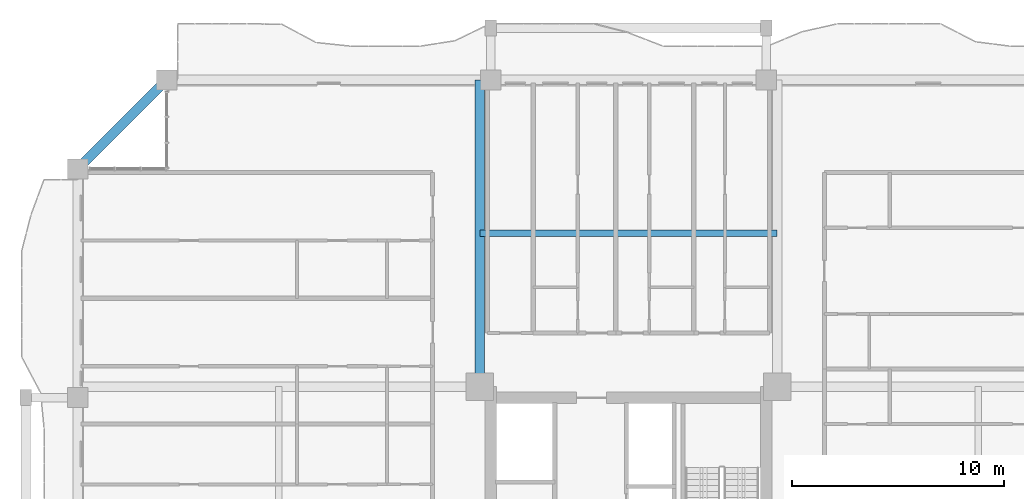
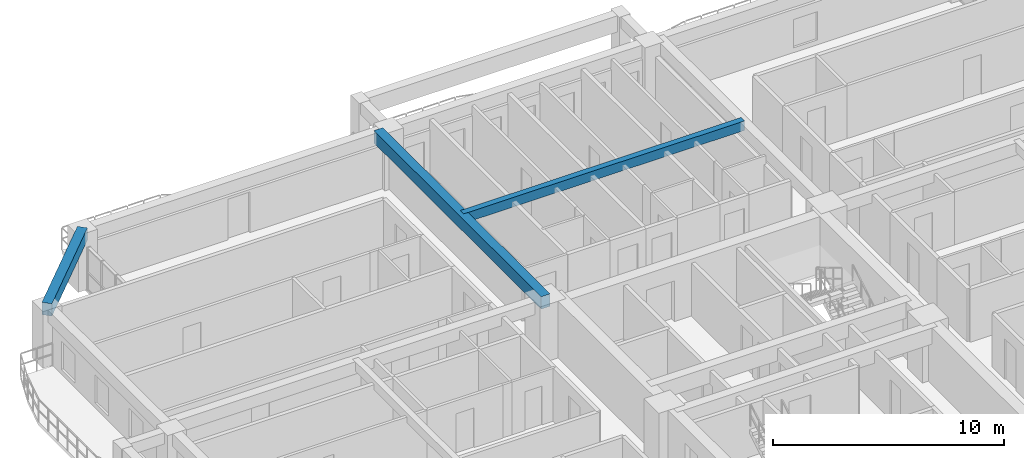
# One storey, part 7 of 26: 3 beams.
"""IFC4 building model written with IfcOpenShell, lengths in metres."""

from ifc_helpers import new_model, si_unit, direction, frame, origin, origin_2d, place, context, subcontext, project, spatial, rectangle, extrude, source, transform, mapped, material, material_profile, profile_set, type_object, element, save


model = new_model("IFC4")

# Units and contexts
model_context = context("Model", 3, precision=1e-05, world=origin(), true_north=direction((0.0, 1.0)))
body_context = subcontext(model_context, "Body", "Model", "MODEL_VIEW")
ifc_project = project(units=[si_unit("LENGTHUNIT", "METRE"), si_unit("AREAUNIT", "SQUARE_METRE"), si_unit("VOLUMEUNIT", "CUBIC_METRE"), si_unit("PLANEANGLEUNIT", "RADIAN"), si_unit("MASSUNIT", "GRAM", prefix="KILO")], contexts=[model_context])

# Site, building, storey
site_placement = place(None, origin())
site = spatial("IfcSite", under=ifc_project, at=site_placement, CompositionType="ELEMENT")
building_placement = place(site_placement, origin())
building = spatial("IfcBuilding", under=site, at=building_placement, Name="Saelheon Loggia Tower", CompositionType="ELEMENT")
storey_placement = place(building_placement, frame((0.0, 0.0, 116.85009765625)))
storey = spatial("IfcBuildingStorey", under=building, at=storey_placement, Name="L37", CompositionType="ELEMENT", Elevation=116.85009765625)

# Beams
ifc_material = material(Name="Concrete C40/50", Category="concrete")
ifc_material_profile_1 = material_profile(ifc_material, rectangle(XDim=0.449951171875, YDim=0.64990234375, at=origin_2d()), Name="RC-450x650")
ifc_profile_set_1 = profile_set([ifc_material_profile_1], Name="Concrete C40/50")
beam_type_1 = type_object("IfcBeamType", Name="Beam_PerimTower_RC450x650", PredefinedType="BEAM", material=ifc_profile_set_1)
shared_shape_1 = source(origin(), body_context, "Body", "SweptSolid", [
    extrude(rectangle(XDim=0.449951171875, YDim=0.64990234375, at=origin_2d()), origin(), (0.0, 0.0, 1.0), 5.939697265625),
])
beam_1_placement = place(storey_placement, frame((16.199951171875, 51.0, 2.6748046875), z_axis=(-0.707106781187, -0.707106781187, 0.0), x_axis=(0.707106781187, -0.707106781187, 0.0)))
element("IfcBeam", 1, at=beam_1_placement, inside=storey, type_object=beam_type_1, Name="L37 Perimeter Frame Girder 12", PredefinedType="BEAM", context=body_context, shape_type="MappedRepresentation", body=[
    mapped(shared_shape_1, transform((0.0, 0.0, 0.0), scale=1.0)),
])
ifc_material_profile_2 = material_profile(ifc_material, rectangle(XDim=0.449951171875, YDim=0.64990234375, at=origin_2d()), Name="RC-450x650")
ifc_profile_set_2 = profile_set([ifc_material_profile_2], Name="Concrete C40/50")
beam_type_2 = type_object("IfcBeamType", Name="Beam_TowerGirder_RC450x650", PredefinedType="BEAM", material=ifc_profile_set_2)
shared_shape_2 = source(origin(), body_context, "Body", "SweptSolid", [
    extrude(rectangle(XDim=0.449951171875, YDim=0.64990234375, at=origin_2d()), origin(), (0.0, 0.0, 1.0), 14.47998046875),
])
beam_2_placement = place(storey_placement, frame((30.97998046875, 36.52001953125, 2.6748046875), z_axis=(0.0, 1.0, 0.0), x_axis=(-1.0, 0.0, 0.0)))
element("IfcBeam", 2, at=beam_2_placement, inside=storey, type_object=beam_type_2, Name="L37 Radial Floor Girder RAD-NW-N", PredefinedType="BEAM", context=body_context, shape_type="MappedRepresentation", body=[
    mapped(shared_shape_2, transform((0.0, 0.0, 0.0), scale=1.0)),
])
ifc_material_profile_3 = material_profile(ifc_material, rectangle(XDim=0.300048828125, YDim=0.5, at=origin_2d()), Name="RC-300x500")
ifc_profile_set_3 = profile_set([ifc_material_profile_3], Name="Concrete C40/50")
beam_type_3 = type_object("IfcBeamType", Name="Beam_Joist_RC300x500", PredefinedType="JOIST", material=ifc_profile_set_3)
shared_shape_3 = source(origin(), body_context, "Body", "SweptSolid", [
    extrude(rectangle(XDim=0.300048828125, YDim=0.5, at=origin_2d()), origin(), (0.0, 0.0, 1.0), 14.0400390625),
])
beam_3_placement = place(storey_placement, frame((30.97998046875, 43.760009765625, 2.75), z_axis=(1.0, 0.0, 0.0), x_axis=(0.0, 1.0, 0.0)))
element("IfcBeam", 3, at=beam_3_placement, inside=storey, type_object=beam_type_3, Name="L37 North Floor Joist", PredefinedType="JOIST", context=body_context, shape_type="MappedRepresentation", body=[
    mapped(shared_shape_3, transform((0.0, 0.0, 0.0), scale=1.0)),
])

save(model, "model.ifc")
